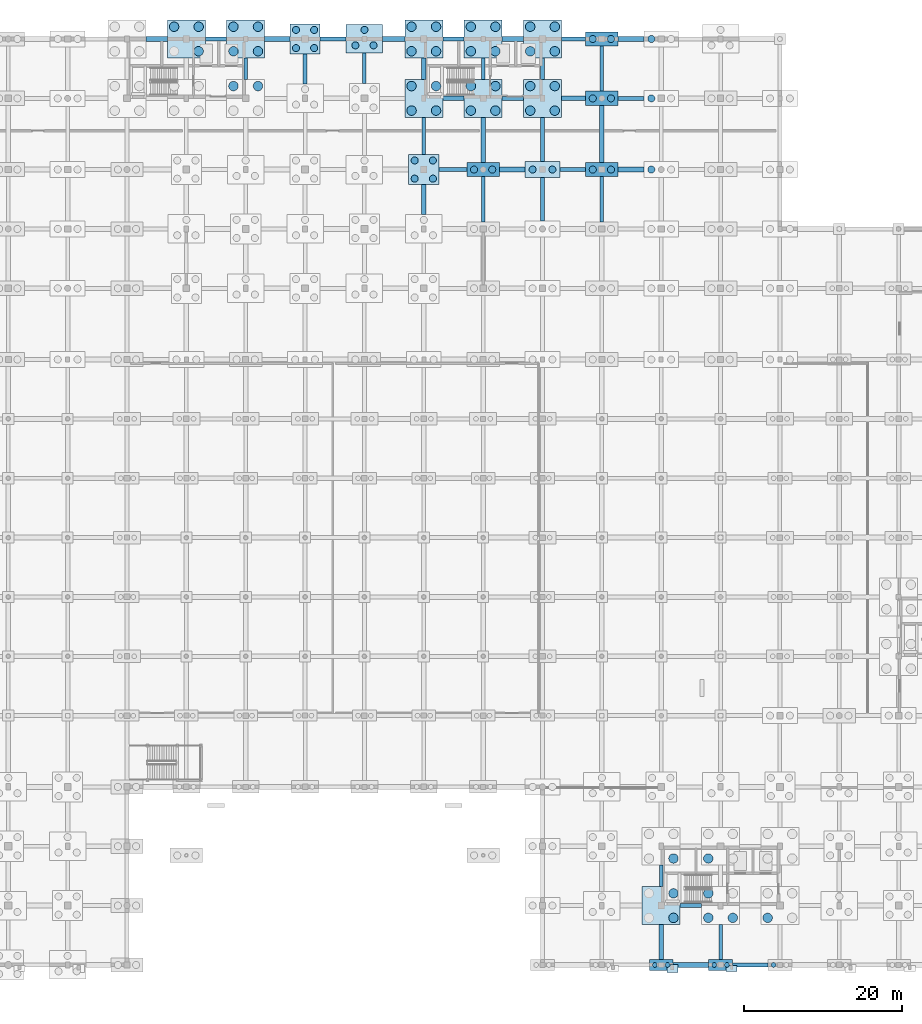
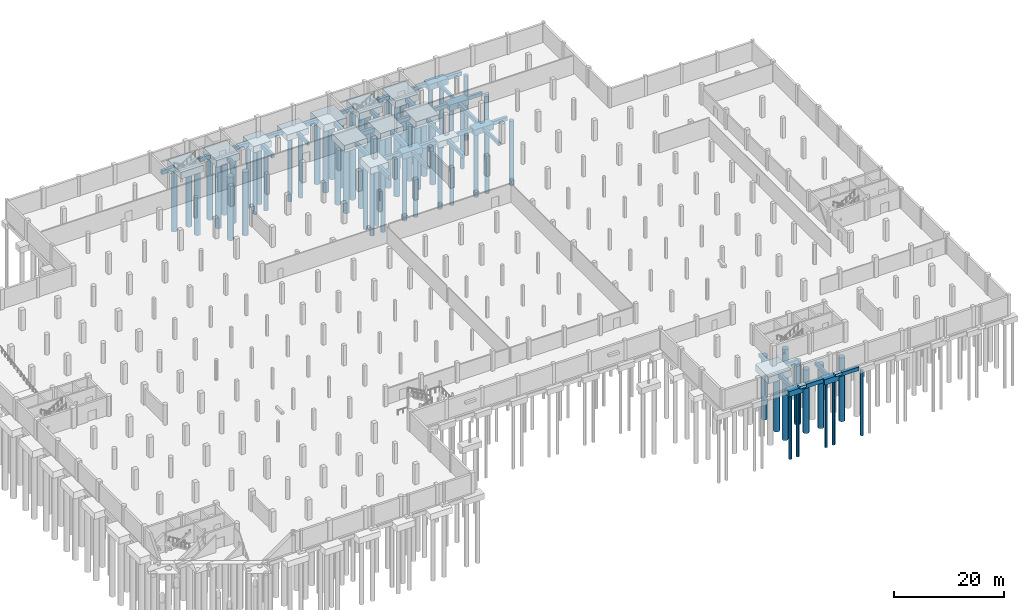
# One storey, part 10 of 42: 70 piles, 59 footings.
"""IFC4 building model written with IfcOpenShell, lengths in metres."""

from ifc_helpers import new_model, si_unit, direction, frame, origin, origin_2d, place, context, subcontext, project, spatial, rectangle, circle, extrude, material, material_profile, profile_set, type_object, element, save


model = new_model("IFC4")

# Units and contexts
model_context = context("Model", 3, precision=1e-05, world=origin(), true_north=direction((0.0, 1.0)))
body_context = subcontext(model_context, "Body", "Model", "MODEL_VIEW")
ifc_project = project(units=[si_unit("LENGTHUNIT", "METRE"), si_unit("AREAUNIT", "SQUARE_METRE"), si_unit("VOLUMEUNIT", "CUBIC_METRE"), si_unit("PLANEANGLEUNIT", "RADIAN"), si_unit("MASSUNIT", "GRAM", prefix="KILO")], contexts=[model_context])

# Site, building, storey
site_placement = place(None, origin())
site = spatial("IfcSite", under=ifc_project, at=site_placement, CompositionType="ELEMENT")
building_placement = place(site_placement, origin())
building = spatial("IfcBuilding", under=site, at=building_placement, Name="Dalvernix Boulevard General Hospital", CompositionType="ELEMENT")
storey_placement = place(building_placement, frame((0.0, 0.0, -4.5)))
storey = spatial("IfcBuildingStorey", under=building, at=storey_placement, Name="B1", CompositionType="ELEMENT", Elevation=-4.5)

# Footings
ifc_material_1 = material(Name="Concrete C35/45", Category="concrete")
footing_type_1 = type_object("IfcFootingType", Name="FTG-GB-01", PredefinedType="FOOTING_BEAM", material=ifc_material_1)
footing_1_placement = place(storey_placement, frame((138.75, 0.0, -1.2998046875), z_axis=(0.0, 0.0, 1.0), x_axis=(1.0, 0.0, 0.0)))
element("IfcFooting", 1, at=footing_1_placement, inside=storey, type_object=footing_type_1, Name="Ground beam A:19-20", PredefinedType="FOOTING_BEAM", context=body_context, shape_type="SweptSolid", body=[
    extrude(rectangle(XDim=4.5, YDim=0.5, at=origin_2d()), origin(), (0.0, 0.0, 1.0), 0.800048828125),
])
footing_2_placement = place(storey_placement, frame((131.25, 7.5, -1.2998046875), z_axis=(0.0, 0.0, 1.0), x_axis=(1.0, 0.0, 0.0)))
element("IfcFooting", 2, at=footing_2_placement, inside=storey, type_object=footing_type_1, Name="Ground beam B:18-19", PredefinedType="FOOTING_BEAM", context=body_context, shape_type="SweptSolid", body=[
    extrude(rectangle(XDim=2.699951171875, YDim=0.5, at=origin_2d()), origin(), (0.0, 0.0, 1.0), 0.800048828125),
])
footing_3_placement = place(storey_placement, frame((101.175048828125, 100.5, -1.2998046875), z_axis=(0.0, 0.0, 1.0), x_axis=(1.0, 0.0, 0.0)))
element("IfcFooting", 3, at=footing_3_placement, inside=storey, type_object=footing_type_1, Name="Ground beam P:14-15", PredefinedType="FOOTING_BEAM", context=body_context, shape_type="SweptSolid", body=[
    extrude(rectangle(XDim=3.550048828125, YDim=0.5, at=origin_2d()), origin(), (0.0, 0.0, 1.0), 0.800048828125),
])
footing_4_placement = place(storey_placement, frame((116.324951171875, 100.5, -1.2998046875), z_axis=(0.0, 0.0, 1.0), x_axis=(1.0, 0.0, 0.0)))
element("IfcFooting", 4, at=footing_4_placement, inside=storey, type_object=footing_type_1, Name="Ground beam P:16-17", PredefinedType="FOOTING_BEAM", context=body_context, shape_type="SweptSolid", body=[
    extrude(rectangle(XDim=3.25, YDim=0.5, at=origin_2d()), origin(), (0.0, 0.0, 1.0), 0.800048828125),
])
footing_5_placement = place(storey_placement, frame((108.75, 109.5, -1.2998046875), z_axis=(0.0, 0.0, 1.0), x_axis=(1.0, 0.0, 0.0)))
element("IfcFooting", 5, at=footing_5_placement, inside=storey, type_object=footing_type_1, Name="Ground beam Q:15-16", PredefinedType="FOOTING_BEAM", context=body_context, shape_type="SweptSolid", body=[
    extrude(rectangle(XDim=2.699951171875, YDim=0.5, at=origin_2d()), origin(), (0.0, 0.0, 1.0), 0.800048828125),
])
footing_6_placement = place(storey_placement, frame((123.675048828125, 109.5, -1.2998046875), z_axis=(0.0, 0.0, 1.0), x_axis=(1.0, 0.0, 0.0)))
element("IfcFooting", 6, at=footing_6_placement, inside=storey, type_object=footing_type_1, Name="Ground beam Q:17-18", PredefinedType="FOOTING_BEAM", context=body_context, shape_type="SweptSolid", body=[
    extrude(rectangle(XDim=3.25, YDim=0.5, at=origin_2d()), origin(), (0.0, 0.0, 1.0), 0.800048828125),
])
footing_7_placement = place(storey_placement, frame((71.25, 117.0, -1.2998046875), z_axis=(0.0, 0.0, 1.0), x_axis=(1.0, 0.0, 0.0)))
element("IfcFooting", 7, at=footing_7_placement, inside=storey, type_object=footing_type_1, Name="Ground beam R:10-11", PredefinedType="FOOTING_BEAM", context=body_context, shape_type="SweptSolid", body=[
    extrude(rectangle(XDim=2.699951171875, YDim=0.5, at=origin_2d()), origin(), (0.0, 0.0, 1.0), 0.800048828125),
])
footing_8_placement = place(storey_placement, frame((86.050048828125, 117.0, -1.2998046875), z_axis=(0.0, 0.0, 1.0), x_axis=(1.0, 0.0, 0.0)))
element("IfcFooting", 8, at=footing_8_placement, inside=storey, type_object=footing_type_1, Name="Ground beam R:12-13", PredefinedType="FOOTING_BEAM", context=body_context, shape_type="SweptSolid", body=[
    extrude(rectangle(XDim=3.300048828125, YDim=0.5, at=origin_2d()), origin(), (0.0, 0.0, 1.0), 0.800048828125),
])
footing_9_placement = place(storey_placement, frame((101.25, 117.0, -1.2998046875), z_axis=(0.0, 0.0, 1.0), x_axis=(1.0, 0.0, 0.0)))
element("IfcFooting", 9, at=footing_9_placement, inside=storey, type_object=footing_type_1, Name="Ground beam R:14-15", PredefinedType="FOOTING_BEAM", context=body_context, shape_type="SweptSolid", body=[
    extrude(rectangle(XDim=2.699951171875, YDim=0.5, at=origin_2d()), origin(), (0.0, 0.0, 1.0), 0.800048828125),
])
footing_10_placement = place(storey_placement, frame((116.425048828125, 117.0, -1.2998046875), z_axis=(0.0, 0.0, 1.0), x_axis=(1.0, 0.0, 0.0)))
element("IfcFooting", 10, at=footing_10_placement, inside=storey, type_object=footing_type_1, Name="Ground beam R:16-17", PredefinedType="FOOTING_BEAM", context=body_context, shape_type="SweptSolid", body=[
    extrude(rectangle(XDim=3.050048828125, YDim=0.5, at=origin_2d()), origin(), (0.0, 0.0, 1.0), 0.800048828125),
])
footing_type_2 = type_object("IfcFootingType", Name="FTG-GB-02", PredefinedType="FOOTING_BEAM", material=ifc_material_1)
footing_11_placement = place(storey_placement, frame((131.25, 0.0, -1.35009765625), z_axis=(0.0, 0.0, 1.0), x_axis=(1.0, 0.0, 0.0)))
element("IfcFooting", 11, at=footing_11_placement, inside=storey, type_object=footing_type_2, Name="Ground beam A:18-19", PredefinedType="FOOTING_BEAM", context=body_context, shape_type="SweptSolid", body=[
    extrude(rectangle(XDim=4.5, YDim=0.60009765625, at=origin_2d()), origin(), (0.0, 0.0, 1.0), 0.85009765625),
])
for number, where, z_axis, x_axis, name in (
    (12, (108.675048828125, 100.5, -1.35009765625), (0.0, 0.0, 1.0), (1.0, 0.0, 0.0), "Ground beam P:15-16"),
    (13, (123.675048828125, 100.5, -1.35009765625), (0.0, 0.0, 1.0), (1.0, 0.0, 0.0), "Ground beam P:17-18"),
):
    element("IfcFooting", number, at=place(storey_placement, frame(where, z_axis=z_axis, x_axis=x_axis)), inside=storey, type_object=footing_type_2, Name=name, PredefinedType="FOOTING_BEAM", context=body_context, shape_type="SweptSolid", body=[
        extrude(rectangle(XDim=3.25, YDim=0.60009765625, at=origin_2d()), origin(), (0.0, 0.0, 1.0), 0.85009765625),
    ])
footing_12_placement = place(storey_placement, frame((101.25, 109.5, -1.35009765625), z_axis=(0.0, 0.0, 1.0), x_axis=(1.0, 0.0, 0.0)))
element("IfcFooting", 14, at=footing_12_placement, inside=storey, type_object=footing_type_2, Name="Ground beam Q:14-15", PredefinedType="FOOTING_BEAM", context=body_context, shape_type="SweptSolid", body=[
    extrude(rectangle(XDim=2.699951171875, YDim=0.60009765625, at=origin_2d()), origin(), (0.0, 0.0, 1.0), 0.85009765625),
])
footing_13_placement = place(storey_placement, frame((116.425048828125, 109.5, -1.35009765625), z_axis=(0.0, 0.0, 1.0), x_axis=(1.0, 0.0, 0.0)))
element("IfcFooting", 15, at=footing_13_placement, inside=storey, type_object=footing_type_2, Name="Ground beam Q:16-17", PredefinedType="FOOTING_BEAM", context=body_context, shape_type="SweptSolid", body=[
    extrude(rectangle(XDim=3.050048828125, YDim=0.60009765625, at=origin_2d()), origin(), (0.0, 0.0, 1.0), 0.85009765625),
])
footing_14_placement = place(storey_placement, frame((63.75, 117.0, -1.35009765625), z_axis=(0.0, 0.0, 1.0), x_axis=(1.0, 0.0, 0.0)))
element("IfcFooting", 16, at=footing_14_placement, inside=storey, type_object=footing_type_2, Name="Ground beam R:9-10", PredefinedType="FOOTING_BEAM", context=body_context, shape_type="SweptSolid", body=[
    extrude(rectangle(XDim=2.699951171875, YDim=0.60009765625, at=origin_2d()), origin(), (0.0, 0.0, 1.0), 0.85009765625),
])
footing_15_placement = place(storey_placement, frame((79.0, 117.0, -1.35009765625), z_axis=(0.0, 0.0, 1.0), x_axis=(1.0, 0.0, 0.0)))
element("IfcFooting", 17, at=footing_15_placement, inside=storey, type_object=footing_type_2, Name="Ground beam R:11-12", PredefinedType="FOOTING_BEAM", context=body_context, shape_type="SweptSolid", body=[
    extrude(rectangle(XDim=3.199951171875, YDim=0.60009765625, at=origin_2d()), origin(), (0.0, 0.0, 1.0), 0.85009765625),
])
footing_16_placement = place(storey_placement, frame((93.699951171875, 117.0, -1.35009765625), z_axis=(0.0, 0.0, 1.0), x_axis=(1.0, 0.0, 0.0)))
element("IfcFooting", 18, at=footing_16_placement, inside=storey, type_object=footing_type_2, Name="Ground beam R:13-14", PredefinedType="FOOTING_BEAM", context=body_context, shape_type="SweptSolid", body=[
    extrude(rectangle(XDim=2.800048828125, YDim=0.60009765625, at=origin_2d()), origin(), (0.0, 0.0, 1.0), 0.85009765625),
])
footing_17_placement = place(storey_placement, frame((108.75, 117.0, -1.35009765625), z_axis=(0.0, 0.0, 1.0), x_axis=(1.0, 0.0, 0.0)))
element("IfcFooting", 19, at=footing_17_placement, inside=storey, type_object=footing_type_2, Name="Ground beam R:15-16", PredefinedType="FOOTING_BEAM", context=body_context, shape_type="SweptSolid", body=[
    extrude(rectangle(XDim=2.699951171875, YDim=0.60009765625, at=origin_2d()), origin(), (0.0, 0.0, 1.0), 0.85009765625),
])
footing_18_placement = place(storey_placement, frame((123.675048828125, 117.0, -1.35009765625), z_axis=(0.0, 0.0, 1.0), x_axis=(1.0, 0.0, 0.0)))
element("IfcFooting", 20, at=footing_18_placement, inside=storey, type_object=footing_type_2, Name="Ground beam R:17-18", PredefinedType="FOOTING_BEAM", context=body_context, shape_type="SweptSolid", body=[
    extrude(rectangle(XDim=3.25, YDim=0.60009765625, at=origin_2d()), origin(), (0.0, 0.0, 1.0), 0.85009765625),
])
footing_type_3 = type_object("IfcFootingType", Name="FTG-GB-03", PredefinedType="FOOTING_BEAM", material=ifc_material_1)
footing_19_placement = place(storey_placement, frame((75.0, 113.25, -1.25), z_axis=(0.0, 0.0, 1.0), x_axis=(0.0, 1.0, 0.0)))
element("IfcFooting", 21, at=footing_19_placement, inside=storey, type_object=footing_type_3, Name="Ground beam 11:Q-R", PredefinedType="FOOTING_BEAM", context=body_context, shape_type="SweptSolid", body=[
    extrude(rectangle(XDim=2.699951171875, YDim=0.449951171875, at=origin_2d()), origin(), (0.0, 0.0, 1.0), 0.75),
])
footing_20_placement = place(storey_placement, frame((90.0, 113.300048828125, -1.25), z_axis=(0.0, 0.0, 1.0), x_axis=(0.0, 1.0, 0.0)))
element("IfcFooting", 22, at=footing_20_placement, inside=storey, type_object=footing_type_3, Name="Ground beam 13:Q-R", PredefinedType="FOOTING_BEAM", context=body_context, shape_type="SweptSolid", body=[
    extrude(rectangle(XDim=3.800048828125, YDim=0.449951171875, at=origin_2d()), origin(), (0.0, 0.0, 1.0), 0.75),
])
footing_21_placement = place(storey_placement, frame((97.5, 104.75, -1.25), z_axis=(0.0, 0.0, 1.0), x_axis=(0.0, 1.0, 0.0)))
element("IfcFooting", 23, at=footing_21_placement, inside=storey, type_object=footing_type_3, Name="Ground beam 14:P-Q", PredefinedType="FOOTING_BEAM", context=body_context, shape_type="SweptSolid", body=[
    extrude(rectangle(XDim=4.699951171875, YDim=0.449951171875, at=origin_2d()), origin(), (0.0, 0.0, 1.0), 0.75),
])
footing_22_placement = place(storey_placement, frame((105.0, 96.75, -1.25), z_axis=(0.0, 0.0, 1.0), x_axis=(0.0, 1.0, 0.0)))
element("IfcFooting", 24, at=footing_22_placement, inside=storey, type_object=footing_type_3, Name="Ground beam 15:N-P", PredefinedType="FOOTING_BEAM", context=body_context, shape_type="SweptSolid", body=[
    extrude(rectangle(XDim=5.699951171875, YDim=0.449951171875, at=origin_2d()), origin(), (0.0, 0.0, 1.0), 0.75),
])
footing_23_placement = place(storey_placement, frame((105.0, 113.25, -1.25), z_axis=(0.0, 0.0, 1.0), x_axis=(0.0, 1.0, 0.0)))
element("IfcFooting", 25, at=footing_23_placement, inside=storey, type_object=footing_type_3, Name="Ground beam 15:Q-R", PredefinedType="FOOTING_BEAM", context=body_context, shape_type="SweptSolid", body=[
    extrude(rectangle(XDim=2.699951171875, YDim=0.449951171875, at=origin_2d()), origin(), (0.0, 0.0, 1.0), 0.75),
])
footing_24_placement = place(storey_placement, frame((112.5, 104.300048828125, -1.25), z_axis=(0.0, 0.0, 1.0), x_axis=(0.0, 1.0, 0.0)))
element("IfcFooting", 26, at=footing_24_placement, inside=storey, type_object=footing_type_3, Name="Ground beam 16:P-Q", PredefinedType="FOOTING_BEAM", context=body_context, shape_type="SweptSolid", body=[
    extrude(rectangle(XDim=5.60009765625, YDim=0.449951171875, at=origin_2d()), origin(), (0.0, 0.0, 1.0), 0.75),
])
for number, where, z_axis, x_axis, name in (
    (27, (120.0, 96.75, -1.25), (0.0, 0.0, 1.0), (0.0, 1.0, 0.0), "Ground beam 17:N-P"),
    (28, (120.0, 113.25, -1.25), (0.0, 0.0, 1.0), (0.0, 1.0, 0.0), "Ground beam 17:Q-R"),
):
    element("IfcFooting", number, at=place(storey_placement, frame(where, z_axis=z_axis, x_axis=x_axis)), inside=storey, type_object=footing_type_3, Name=name, PredefinedType="FOOTING_BEAM", context=body_context, shape_type="SweptSolid", body=[
        extrude(rectangle(XDim=5.699951171875, YDim=0.449951171875, at=origin_2d()), origin(), (0.0, 0.0, 1.0), 0.75),
    ])
footing_25_placement = place(storey_placement, frame((127.5, 11.25, -1.25), z_axis=(0.0, 0.0, 1.0), x_axis=(0.0, 1.0, 0.0)))
element("IfcFooting", 29, at=footing_25_placement, inside=storey, type_object=footing_type_3, Name="Ground beam 18:B-C", PredefinedType="FOOTING_BEAM", context=body_context, shape_type="SweptSolid", body=[
    extrude(rectangle(XDim=2.699951171875, YDim=0.449951171875, at=origin_2d()), origin(), (0.0, 0.0, 1.0), 0.75),
])
footing_26_placement = place(storey_placement, frame((135.0, 2.89990234375, -1.25), z_axis=(0.0, 0.0, 1.0), x_axis=(0.0, 1.0, 0.0)))
element("IfcFooting", 30, at=footing_26_placement, inside=storey, type_object=footing_type_3, Name="Ground beam 19:A-B", PredefinedType="FOOTING_BEAM", context=body_context, shape_type="SweptSolid", body=[
    extrude(rectangle(XDim=4.39990234375, YDim=0.449951171875, at=origin_2d()), origin(), (0.0, 0.0, 1.0), 0.75),
])
footing_type_4 = type_object("IfcFootingType", Name="FTG-GB-04", PredefinedType="FOOTING_BEAM", material=ifc_material_1)
for number, where, z_axis, x_axis, name in (
    (31, (82.5, 113.199951171875, -1.39990234375), (0.0, 0.0, 1.0), (0.0, 1.0, 0.0), "Ground beam 12:Q-R"),
    (32, (97.5, 96.699951171875, -1.39990234375), (0.0, 0.0, 1.0), (0.0, 1.0, 0.0), "Ground beam 14:N-P"),
):
    element("IfcFooting", number, at=place(storey_placement, frame(where, z_axis=z_axis, x_axis=x_axis)), inside=storey, type_object=footing_type_4, Name=name, PredefinedType="FOOTING_BEAM", context=body_context, shape_type="SweptSolid", body=[
        extrude(rectangle(XDim=3.800048828125, YDim=0.550048828125, at=origin_2d()), origin(), (0.0, 0.0, 1.0), 0.89990234375),
    ])
footing_27_placement = place(storey_placement, frame((97.5, 113.25, -1.39990234375), z_axis=(0.0, 0.0, 1.0), x_axis=(0.0, 1.0, 0.0)))
element("IfcFooting", 33, at=footing_27_placement, inside=storey, type_object=footing_type_4, Name="Ground beam 14:Q-R", PredefinedType="FOOTING_BEAM", context=body_context, shape_type="SweptSolid", body=[
    extrude(rectangle(XDim=2.699951171875, YDim=0.550048828125, at=origin_2d()), origin(), (0.0, 0.0, 1.0), 0.89990234375),
])
footing_28_placement = place(storey_placement, frame((105.0, 104.25, -1.39990234375), z_axis=(0.0, 0.0, 1.0), x_axis=(0.0, 1.0, 0.0)))
element("IfcFooting", 34, at=footing_28_placement, inside=storey, type_object=footing_type_4, Name="Ground beam 15:P-Q", PredefinedType="FOOTING_BEAM", context=body_context, shape_type="SweptSolid", body=[
    extrude(rectangle(XDim=5.699951171875, YDim=0.550048828125, at=origin_2d()), origin(), (0.0, 0.0, 1.0), 0.89990234375),
])
footing_29_placement = place(storey_placement, frame((112.5, 96.75, -1.39990234375), z_axis=(0.0, 0.0, 1.0), x_axis=(0.0, 1.0, 0.0)))
element("IfcFooting", 35, at=footing_29_placement, inside=storey, type_object=footing_type_4, Name="Ground beam 16:N-P", PredefinedType="FOOTING_BEAM", context=body_context, shape_type="SweptSolid", body=[
    extrude(rectangle(XDim=5.5, YDim=0.550048828125, at=origin_2d()), origin(), (0.0, 0.0, 1.0), 0.89990234375),
])
footing_30_placement = place(storey_placement, frame((112.5, 113.25, -1.39990234375), z_axis=(0.0, 0.0, 1.0), x_axis=(0.0, 1.0, 0.0)))
element("IfcFooting", 36, at=footing_30_placement, inside=storey, type_object=footing_type_4, Name="Ground beam 16:Q-R", PredefinedType="FOOTING_BEAM", context=body_context, shape_type="SweptSolid", body=[
    extrude(rectangle(XDim=2.699951171875, YDim=0.550048828125, at=origin_2d()), origin(), (0.0, 0.0, 1.0), 0.89990234375),
])
footing_31_placement = place(storey_placement, frame((120.0, 105.0, -1.39990234375), z_axis=(0.0, 0.0, 1.0), x_axis=(0.0, 1.0, 0.0)))
element("IfcFooting", 37, at=footing_31_placement, inside=storey, type_object=footing_type_4, Name="Ground beam 17:P-Q", PredefinedType="FOOTING_BEAM", context=body_context, shape_type="SweptSolid", body=[
    extrude(rectangle(XDim=7.199951171875, YDim=0.550048828125, at=origin_2d()), origin(), (0.0, 0.0, 1.0), 0.89990234375),
])
footing_32_placement = place(storey_placement, frame((127.5, 2.89990234375, -1.39990234375), z_axis=(0.0, 0.0, 1.0), x_axis=(0.0, 1.0, 0.0)))
element("IfcFooting", 38, at=footing_32_placement, inside=storey, type_object=footing_type_4, Name="Ground beam 18:A-B", PredefinedType="FOOTING_BEAM", context=body_context, shape_type="SweptSolid", body=[
    extrude(rectangle(XDim=4.39990234375, YDim=0.550048828125, at=origin_2d()), origin(), (0.0, 0.0, 1.0), 0.89990234375),
])
ifc_material_2 = material(Name="Concrete C40/50", Category="concrete")
footing_type_5 = type_object("IfcFootingType", Name="FTG-PC-02", PredefinedType="PILE_CAP", material=ifc_material_2)
for number, where, z_axis, x_axis, name in (
    (39, (127.5, 0.0, -1.7001953125), (0.0, 0.0, 1.0), (1.0, 0.0, 0.0), "Pile cap 18A"),
    (40, (135.0, 0.0, -1.7001953125), (0.0, 0.0, 1.0), (1.0, 0.0, 0.0), "Pile cap 19A"),
):
    element("IfcFooting", number, at=place(storey_placement, frame(where, z_axis=z_axis, x_axis=x_axis)), inside=storey, type_object=footing_type_5, Name=name, PredefinedType="PILE_CAP", context=body_context, shape_type="SweptSolid", body=[
        extrude(rectangle(XDim=3.0, YDim=1.39990234375, at=origin_2d()), origin(), (0.0, 0.0, 1.0), 1.199951171875),
    ])
footing_type_6 = type_object("IfcFootingType", Name="FTG-PC-04", PredefinedType="PILE_CAP", material=ifc_material_2)
for number, where, z_axis, x_axis, name in (
    (41, (105.0, 100.5, -1.7998046875), (0.0, 0.0, 1.0), (1.0, 0.0, 0.0), "Pile cap 15P"),
    (42, (120.0, 100.5, -1.7998046875), (0.0, 0.0, 1.0), (1.0, 0.0, 0.0), "Pile cap 17P"),
    (43, (120.0, 109.5, -1.7998046875), (0.0, 0.0, 1.0), (1.0, 0.0, 0.0), "Pile cap 17Q"),
    (44, (120.0, 117.0, -1.7998046875), (0.0, 0.0, 1.0), (1.0, 0.0, 0.0), "Pile cap 17R"),
):
    element("IfcFooting", number, at=place(storey_placement, frame(where, z_axis=z_axis, x_axis=x_axis)), inside=storey, type_object=footing_type_6, Name=name, PredefinedType="PILE_CAP", context=body_context, shape_type="SweptSolid", body=[
        extrude(rectangle(XDim=4.10009765625, YDim=1.800048828125, at=origin_2d()), origin(), (0.0, 0.0, 1.0), 1.300048828125),
    ])
footing_type_7 = type_object("IfcFootingType", Name="FTG-PC-05", PredefinedType="PILE_CAP", material=ifc_material_2)
footing_33_placement = place(storey_placement, frame((112.5, 100.5, -1.7998046875), z_axis=(0.0, 0.0, 1.0), x_axis=(1.0, 0.0, 0.0)))
element("IfcFooting", 45, at=footing_33_placement, inside=storey, type_object=footing_type_7, Name="Pile cap 16P", PredefinedType="PILE_CAP", context=body_context, shape_type="SweptSolid", body=[
    extrude(rectangle(XDim=4.39990234375, YDim=2.0, at=origin_2d()), origin(), (0.0, 0.0, 1.0), 1.300048828125),
])
footing_type_8 = type_object("IfcFootingType", Name="FTG-PC-06", PredefinedType="PILE_CAP", material=ifc_material_2)
footing_34_placement = place(storey_placement, frame((90.0, 117.0, -1.85009765625), z_axis=(0.0, 0.0, 1.0), x_axis=(1.0, 0.0, 0.0)))
element("IfcFooting", 46, at=footing_34_placement, inside=storey, type_object=footing_type_8, Name="Pile cap 13R", PredefinedType="PILE_CAP", context=body_context, shape_type="SweptSolid", body=[
    extrude(rectangle(XDim=4.60009765625, YDim=3.60009765625, at=origin_2d()), origin(), (0.0, 0.0, 1.0), 1.35009765625),
])
footing_type_9 = type_object("IfcFootingType", Name="FTG-PC-07", PredefinedType="PILE_CAP", material=ifc_material_2)
for number, where, z_axis, x_axis, name in (
    (47, (82.5, 117.0, -1.89990234375), (0.0, 0.0, 1.0), (1.0, 0.0, 0.0), "Pile cap 12R"),
    (48, (97.5, 100.5, -1.89990234375), (0.0, 0.0, 1.0), (1.0, 0.0, 0.0), "Pile cap 14P"),
):
    element("IfcFooting", number, at=place(storey_placement, frame(where, z_axis=z_axis, x_axis=x_axis)), inside=storey, type_object=footing_type_9, Name=name, PredefinedType="PILE_CAP", context=body_context, shape_type="SweptSolid", body=[
        extrude(rectangle(XDim=3.800048828125, YDim=3.800048828125, at=origin_2d()), origin(), (0.0, 0.0, 1.0), 1.39990234375),
    ])
footing_type_10 = type_object("IfcFootingType", Name="FTG-PC-09", PredefinedType="PILE_CAP", material=ifc_material_2)
for number, where, z_axis, x_axis, name in (
    (49, (67.5, 117.0, -2.0), (0.0, 0.0, 1.0), (1.0, 0.0, 0.0), "Pile cap 10R"),
    (50, (75.0, 117.0, -2.0), (0.0, 0.0, 1.0), (1.0, 0.0, 0.0), "Pile cap 11R"),
    (51, (97.5, 109.5, -2.0), (0.0, 0.0, 1.0), (1.0, 0.0, 0.0), "Pile cap 14Q"),
    (52, (97.5, 117.0, -2.0), (0.0, 0.0, 1.0), (1.0, 0.0, 0.0), "Pile cap 14R"),
    (53, (105.0, 109.5, -2.0), (0.0, 0.0, 1.0), (1.0, 0.0, 0.0), "Pile cap 15Q"),
    (54, (105.0, 117.0, -2.0), (0.0, 0.0, 1.0), (1.0, 0.0, 0.0), "Pile cap 15R"),
    (55, (112.5, 109.5, -2.0), (0.0, 0.0, 1.0), (1.0, 0.0, 0.0), "Pile cap 16Q"),
    (56, (112.5, 117.0, -2.0), (0.0, 0.0, 1.0), (1.0, 0.0, 0.0), "Pile cap 16R"),
    (57, (127.5, 7.5, -2.0), (0.0, 0.0, 1.0), (1.0, 0.0, 0.0), "Pile cap 18B"),
):
    element("IfcFooting", number, at=place(storey_placement, frame(where, z_axis=z_axis, x_axis=x_axis)), inside=storey, type_object=footing_type_10, Name=name, PredefinedType="PILE_CAP", context=body_context, shape_type="SweptSolid", body=[
        extrude(rectangle(XDim=4.800048828125, YDim=4.800048828125, at=origin_2d()), origin(), (0.0, 0.0, 1.0), 1.5),
    ])
footing_type_11 = type_object("IfcFootingType", Name="FTG-SF-01", PredefinedType="STRIP_FOOTING", material=ifc_material_1)
footing_35_placement = place(storey_placement, frame((136.39990234375, -0.449951171875, -0.5), z_axis=(0.0, 0.0, 1.0), x_axis=(1.0, 0.0, 0.0)))
element("IfcFooting", 58, at=footing_35_placement, inside=storey, type_object=footing_type_11, Name="Boulevard buttress strip footing 9", PredefinedType="STRIP_FOOTING", context=body_context, shape_type="SweptSolid", body=[
    extrude(rectangle(XDim=1.39990234375, YDim=0.800048828125, at=origin_2d()), origin(), (0.0, 0.0, 1.0), 0.5),
])
footing_type_12 = type_object("IfcFootingType", Name="FTG-SF-02", PredefinedType="STRIP_FOOTING", material=ifc_material_1)
footing_36_placement = place(storey_placement, frame((128.89990234375, -0.449951171875, -0.5498046875), z_axis=(0.0, 0.0, 1.0), x_axis=(1.0, 0.0, 0.0)))
element("IfcFooting", 59, at=footing_36_placement, inside=storey, type_object=footing_type_12, Name="Boulevard buttress strip footing 8", PredefinedType="STRIP_FOOTING", context=body_context, shape_type="SweptSolid", body=[
    extrude(rectangle(XDim=1.39990234375, YDim=1.0, at=origin_2d()), origin(), (0.0, 0.0, 1.0), 0.550048828125),
])

# Piles
ifc_material_profile_1 = material_profile(ifc_material_1, circle(Radius=0.300048828125, at=origin_2d()), Name="BORED PILE D600")
ifc_profile_set_1 = profile_set([ifc_material_profile_1], Name="Concrete C35/45")
pile_type_1 = type_object("IfcPileType", Name="PILE-PL-01", PredefinedType="BORED", material=ifc_profile_set_1)
for number, where, z_axis, x_axis, name in (
    (60, (126.699951171875, 0.0, -1.60009765625), (0.0, 0.0, -1.0), (1.0, 0.0, 0.0), "Bored pile 18A-1"),
    (61, (128.300048828125, 0.0, -1.60009765625), (0.0, 0.0, -1.0), (1.0, 0.0, 0.0), "Bored pile 18A-2"),
    (62, (134.199951171875, 0.0, -1.60009765625), (0.0, 0.0, -1.0), (1.0, 0.0, 0.0), "Bored pile 19A-1"),
    (63, (135.800048828125, 0.0, -1.60009765625), (0.0, 0.0, -1.0), (1.0, 0.0, 0.0), "Bored pile 19A-2"),
    (64, (141.699951171875, 0.0, -1.60009765625), (0.0, 0.0, -1.0), (1.0, 0.0, 0.0), "Bored pile 20A-1"),
):
    element("IfcPile", number, at=place(storey_placement, frame(where, z_axis=z_axis, x_axis=x_axis)), inside=storey, type_object=pile_type_1, Name=name, PredefinedType="BORED", context=body_context, shape_type="SweptSolid", body=[
        extrude(circle(Radius=0.300048828125, at=origin_2d()), origin(), (0.0, 0.0, 1.0), 14.39990234375),
    ])
ifc_material_profile_2 = material_profile(ifc_material_1, circle(Radius=0.449951171875, at=origin_2d()), Name="BORED PILE D900")
ifc_profile_set_2 = profile_set([ifc_material_profile_2], Name="Concrete C35/45")
pile_type_2 = type_object("IfcPileType", Name="PILE-PL-02", PredefinedType="BORED", material=ifc_profile_set_2)
for number, where, z_axis, x_axis, name in (
    (65, (81.35009765625, 115.85009765625, -1.800048828125), (0.0, 0.0, -1.0), (1.0, 0.0, 0.0), "Bored pile 12R-1"),
    (66, (83.64990234375, 115.85009765625, -1.800048828125), (0.0, 0.0, -1.0), (1.0, 0.0, 0.0), "Bored pile 12R-2"),
    (67, (81.35009765625, 118.14990234375, -1.800048828125), (0.0, 0.0, -1.0), (1.0, 0.0, 0.0), "Bored pile 12R-3"),
    (68, (83.64990234375, 118.14990234375, -1.800048828125), (0.0, 0.0, -1.0), (1.0, 0.0, 0.0), "Bored pile 12R-4"),
):
    element("IfcPile", number, at=place(storey_placement, frame(where, z_axis=z_axis, x_axis=x_axis)), inside=storey, type_object=pile_type_2, Name=name, PredefinedType="BORED", context=body_context, shape_type="SweptSolid", body=[
        extrude(circle(Radius=0.449951171875, at=origin_2d()), origin(), (0.0, 0.0, 1.0), 14.199951171875),
    ])
for number, where, z_axis, x_axis, name in (
    (69, (88.85009765625, 116.199951171875, -1.75), (0.0, 0.0, -1.0), (1.0, 0.0, 0.0), "Bored pile 13R-1"),
    (70, (91.14990234375, 116.199951171875, -1.75), (0.0, 0.0, -1.0), (1.0, 0.0, 0.0), "Bored pile 13R-2"),
    (71, (90.0, 118.14990234375, -1.75), (0.0, 0.0, -1.0), (1.0, 0.0, 0.0), "Bored pile 13R-3"),
):
    element("IfcPile", number, at=place(storey_placement, frame(where, z_axis=z_axis, x_axis=x_axis)), inside=storey, type_object=pile_type_2, Name=name, PredefinedType="BORED", context=body_context, shape_type="SweptSolid", body=[
        extrude(circle(Radius=0.449951171875, at=origin_2d()), origin(), (0.0, 0.0, 1.0), 14.25),
    ])
for number, where, z_axis, x_axis, name in (
    (72, (96.35009765625, 99.35009765625, -1.800048828125), (0.0, 0.0, -1.0), (1.0, 0.0, 0.0), "Bored pile 14P-1"),
    (73, (98.64990234375, 99.35009765625, -1.800048828125), (0.0, 0.0, -1.0), (1.0, 0.0, 0.0), "Bored pile 14P-2"),
    (74, (96.35009765625, 101.64990234375, -1.800048828125), (0.0, 0.0, -1.0), (1.0, 0.0, 0.0), "Bored pile 14P-3"),
    (75, (98.64990234375, 101.64990234375, -1.800048828125), (0.0, 0.0, -1.0), (1.0, 0.0, 0.0), "Bored pile 14P-4"),
):
    element("IfcPile", number, at=place(storey_placement, frame(where, z_axis=z_axis, x_axis=x_axis)), inside=storey, type_object=pile_type_2, Name=name, PredefinedType="BORED", context=body_context, shape_type="SweptSolid", body=[
        extrude(circle(Radius=0.449951171875, at=origin_2d()), origin(), (0.0, 0.0, 1.0), 14.199951171875),
    ])
for number, where, z_axis, x_axis, name in (
    (76, (103.85009765625, 100.5, -1.699951171875), (0.0, 0.0, -1.0), (1.0, 0.0, 0.0), "Bored pile 15P-1"),
    (77, (106.14990234375, 100.5, -1.699951171875), (0.0, 0.0, -1.0), (1.0, 0.0, 0.0), "Bored pile 15P-2"),
    (78, (111.25, 100.5, -1.699951171875), (0.0, 0.0, -1.0), (1.0, 0.0, 0.0), "Bored pile 16P-1"),
    (79, (113.75, 100.5, -1.699951171875), (0.0, 0.0, -1.0), (1.0, 0.0, 0.0), "Bored pile 16P-2"),
    (80, (118.85009765625, 100.5, -1.699951171875), (0.0, 0.0, -1.0), (1.0, 0.0, 0.0), "Bored pile 17P-1"),
    (81, (121.14990234375, 100.5, -1.699951171875), (0.0, 0.0, -1.0), (1.0, 0.0, 0.0), "Bored pile 17P-2"),
    (82, (118.85009765625, 109.5, -1.699951171875), (0.0, 0.0, -1.0), (1.0, 0.0, 0.0), "Bored pile 17Q-1"),
    (83, (121.14990234375, 109.5, -1.699951171875), (0.0, 0.0, -1.0), (1.0, 0.0, 0.0), "Bored pile 17Q-2"),
    (84, (118.85009765625, 117.0, -1.699951171875), (0.0, 0.0, -1.0), (1.0, 0.0, 0.0), "Bored pile 17R-1"),
    (85, (121.14990234375, 117.0, -1.699951171875), (0.0, 0.0, -1.0), (1.0, 0.0, 0.0), "Bored pile 17R-2"),
    (86, (126.25, 100.5, -1.699951171875), (0.0, 0.0, -1.0), (1.0, 0.0, 0.0), "Bored pile 18P-1"),
    (87, (126.25, 109.5, -1.699951171875), (0.0, 0.0, -1.0), (1.0, 0.0, 0.0), "Bored pile 18Q-1"),
    (88, (126.25, 117.0, -1.699951171875), (0.0, 0.0, -1.0), (1.0, 0.0, 0.0), "Bored pile 18R-1"),
):
    element("IfcPile", number, at=place(storey_placement, frame(where, z_axis=z_axis, x_axis=x_axis)), inside=storey, type_object=pile_type_2, Name=name, PredefinedType="BORED", context=body_context, shape_type="SweptSolid", body=[
        extrude(circle(Radius=0.449951171875, at=origin_2d()), origin(), (0.0, 0.0, 1.0), 14.300048828125),
    ])
ifc_material_profile_3 = material_profile(ifc_material_1, circle(Radius=0.60009765625, at=origin_2d()), Name="BORED PILE D1200")
ifc_profile_set_3 = profile_set([ifc_material_profile_3], Name="Concrete C35/45")
pile_type_3 = type_object("IfcPileType", Name="PILE-PL-03", PredefinedType="BORED", material=ifc_profile_set_3)
for number, where, z_axis, x_axis, name in (
    (89, (69.050048828125, 115.449951171875, -1.89990234375), (0.0, 0.0, -1.0), (1.0, 0.0, 0.0), "Bored pile 10R-2"),
    (90, (65.949951171875, 118.550048828125, -1.89990234375), (0.0, 0.0, -1.0), (1.0, 0.0, 0.0), "Bored pile 10R-3"),
    (91, (69.050048828125, 118.550048828125, -1.89990234375), (0.0, 0.0, -1.0), (1.0, 0.0, 0.0), "Bored pile 10R-4"),
    (92, (73.449951171875, 111.050048828125, -1.89990234375), (0.0, 0.0, -1.0), (1.0, 0.0, 0.0), "Bored pile 11Q-3"),
    (93, (76.550048828125, 111.050048828125, -1.89990234375), (0.0, 0.0, -1.0), (1.0, 0.0, 0.0), "Bored pile 11Q-4"),
    (94, (73.449951171875, 115.449951171875, -1.89990234375), (0.0, 0.0, -1.0), (1.0, 0.0, 0.0), "Bored pile 11R-1"),
    (95, (76.550048828125, 115.449951171875, -1.89990234375), (0.0, 0.0, -1.0), (1.0, 0.0, 0.0), "Bored pile 11R-2"),
    (96, (73.449951171875, 118.550048828125, -1.89990234375), (0.0, 0.0, -1.0), (1.0, 0.0, 0.0), "Bored pile 11R-3"),
    (97, (76.550048828125, 118.550048828125, -1.89990234375), (0.0, 0.0, -1.0), (1.0, 0.0, 0.0), "Bored pile 11R-4"),
    (98, (95.949951171875, 107.949951171875, -1.89990234375), (0.0, 0.0, -1.0), (1.0, 0.0, 0.0), "Bored pile 14Q-1"),
    (99, (99.050048828125, 107.949951171875, -1.89990234375), (0.0, 0.0, -1.0), (1.0, 0.0, 0.0), "Bored pile 14Q-2"),
    (100, (95.949951171875, 111.050048828125, -1.89990234375), (0.0, 0.0, -1.0), (1.0, 0.0, 0.0), "Bored pile 14Q-3"),
    (101, (99.050048828125, 111.050048828125, -1.89990234375), (0.0, 0.0, -1.0), (1.0, 0.0, 0.0), "Bored pile 14Q-4"),
    (102, (95.949951171875, 115.449951171875, -1.89990234375), (0.0, 0.0, -1.0), (1.0, 0.0, 0.0), "Bored pile 14R-1"),
    (103, (99.050048828125, 115.449951171875, -1.89990234375), (0.0, 0.0, -1.0), (1.0, 0.0, 0.0), "Bored pile 14R-2"),
    (104, (95.949951171875, 118.550048828125, -1.89990234375), (0.0, 0.0, -1.0), (1.0, 0.0, 0.0), "Bored pile 14R-3"),
    (105, (99.050048828125, 118.550048828125, -1.89990234375), (0.0, 0.0, -1.0), (1.0, 0.0, 0.0), "Bored pile 14R-4"),
    (106, (103.449951171875, 107.949951171875, -1.89990234375), (0.0, 0.0, -1.0), (1.0, 0.0, 0.0), "Bored pile 15Q-1"),
    (107, (106.550048828125, 107.949951171875, -1.89990234375), (0.0, 0.0, -1.0), (1.0, 0.0, 0.0), "Bored pile 15Q-2"),
    (108, (103.449951171875, 111.050048828125, -1.89990234375), (0.0, 0.0, -1.0), (1.0, 0.0, 0.0), "Bored pile 15Q-3"),
    (109, (106.550048828125, 111.050048828125, -1.89990234375), (0.0, 0.0, -1.0), (1.0, 0.0, 0.0), "Bored pile 15Q-4"),
    (110, (103.449951171875, 115.449951171875, -1.89990234375), (0.0, 0.0, -1.0), (1.0, 0.0, 0.0), "Bored pile 15R-1"),
    (111, (106.550048828125, 115.449951171875, -1.89990234375), (0.0, 0.0, -1.0), (1.0, 0.0, 0.0), "Bored pile 15R-2"),
    (112, (103.449951171875, 118.550048828125, -1.89990234375), (0.0, 0.0, -1.0), (1.0, 0.0, 0.0), "Bored pile 15R-3"),
    (113, (106.550048828125, 118.550048828125, -1.89990234375), (0.0, 0.0, -1.0), (1.0, 0.0, 0.0), "Bored pile 15R-4"),
    (114, (110.949951171875, 107.949951171875, -1.89990234375), (0.0, 0.0, -1.0), (1.0, 0.0, 0.0), "Bored pile 16Q-1"),
    (115, (114.050048828125, 107.949951171875, -1.89990234375), (0.0, 0.0, -1.0), (1.0, 0.0, 0.0), "Bored pile 16Q-2"),
    (116, (110.949951171875, 111.050048828125, -1.89990234375), (0.0, 0.0, -1.0), (1.0, 0.0, 0.0), "Bored pile 16Q-3"),
    (117, (114.050048828125, 111.050048828125, -1.89990234375), (0.0, 0.0, -1.0), (1.0, 0.0, 0.0), "Bored pile 16Q-4"),
    (118, (110.949951171875, 115.449951171875, -1.89990234375), (0.0, 0.0, -1.0), (1.0, 0.0, 0.0), "Bored pile 16R-1"),
    (119, (114.050048828125, 115.449951171875, -1.89990234375), (0.0, 0.0, -1.0), (1.0, 0.0, 0.0), "Bored pile 16R-2"),
    (120, (110.949951171875, 118.550048828125, -1.89990234375), (0.0, 0.0, -1.0), (1.0, 0.0, 0.0), "Bored pile 16R-3"),
    (121, (114.050048828125, 118.550048828125, -1.89990234375), (0.0, 0.0, -1.0), (1.0, 0.0, 0.0), "Bored pile 16R-4"),
    (122, (129.050048828125, 5.949951171875, -1.89990234375), (0.0, 0.0, -1.0), (1.0, 0.0, 0.0), "Bored pile 18B-2"),
    (123, (129.050048828125, 9.050048828125, -1.89990234375), (0.0, 0.0, -1.0), (1.0, 0.0, 0.0), "Bored pile 18B-4"),
    (124, (129.050048828125, 13.449951171875, -1.89990234375), (0.0, 0.0, -1.0), (1.0, 0.0, 0.0), "Bored pile 18C-2"),
    (125, (133.449951171875, 5.949951171875, -1.89990234375), (0.0, 0.0, -1.0), (1.0, 0.0, 0.0), "Bored pile 19B-1"),
    (126, (136.550048828125, 5.949951171875, -1.89990234375), (0.0, 0.0, -1.0), (1.0, 0.0, 0.0), "Bored pile 19B-2"),
    (127, (133.449951171875, 9.050048828125, -1.89990234375), (0.0, 0.0, -1.0), (1.0, 0.0, 0.0), "Bored pile 19B-3"),
    (128, (133.449951171875, 13.449951171875, -1.89990234375), (0.0, 0.0, -1.0), (1.0, 0.0, 0.0), "Bored pile 19C-1"),
    (129, (140.949951171875, 5.949951171875, -1.89990234375), (0.0, 0.0, -1.0), (1.0, 0.0, 0.0), "Bored pile 20B-1"),
):
    element("IfcPile", number, at=place(storey_placement, frame(where, z_axis=z_axis, x_axis=x_axis)), inside=storey, type_object=pile_type_3, Name=name, PredefinedType="BORED", context=body_context, shape_type="SweptSolid", body=[
        extrude(circle(Radius=0.60009765625, at=origin_2d()), origin(), (0.0, 0.0, 1.0), 14.10009765625),
    ])

save(model, "model.ifc")
